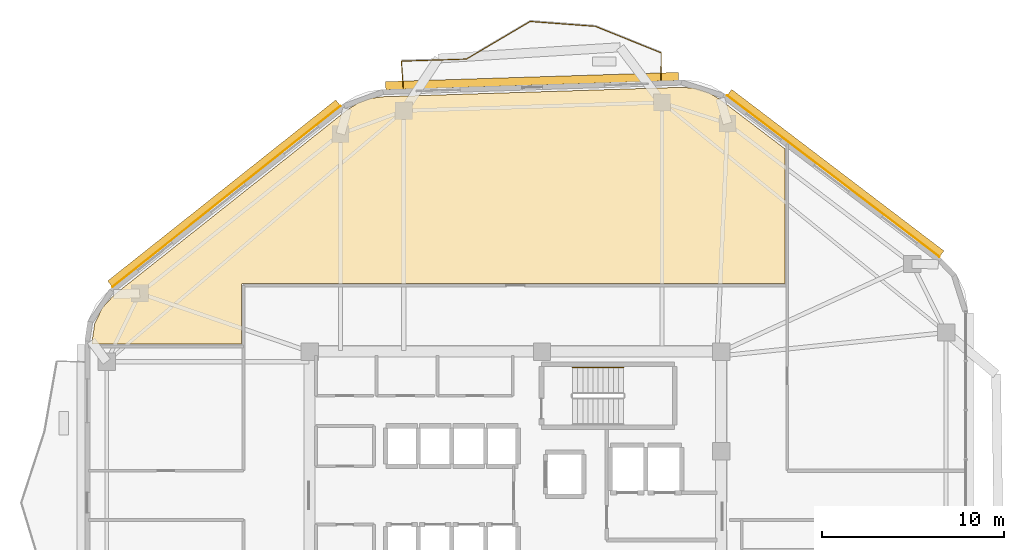
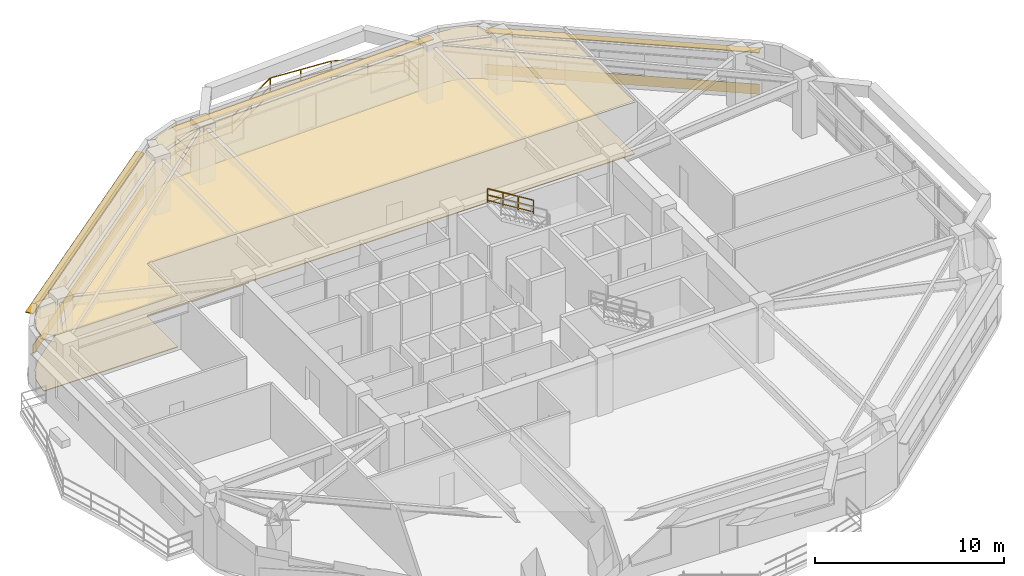
# One storey, part 14 of 14: 7 railings, 4 coverings, 3 shading devices.
"""IFC4 building model written with IfcOpenShell, lengths in metres."""

from ifc_helpers import new_model, si_unit, direction, frame, origin, origin_2d, place, context, subcontext, project, spatial, polyline, rectangle, outline, extrude, material, layer, layer_set, type_object, element, save


model = new_model("IFC4")

# Units and contexts
model_context = context("Model", 3, precision=1e-05, world=origin(), true_north=direction((0.0, 1.0)))
body_context = subcontext(model_context, "Body", "Model", "MODEL_VIEW")
ifc_project = project(units=[si_unit("LENGTHUNIT", "METRE"), si_unit("AREAUNIT", "SQUARE_METRE"), si_unit("VOLUMEUNIT", "CUBIC_METRE"), si_unit("PLANEANGLEUNIT", "RADIAN"), si_unit("MASSUNIT", "GRAM", prefix="KILO")], contexts=[model_context])

# Site, building, storey
site_placement = place(None, origin())
site = spatial("IfcSite", under=ifc_project, at=site_placement, CompositionType="ELEMENT")
building_placement = place(site_placement, origin())
building = spatial("IfcBuilding", under=site, at=building_placement, Name="Zulverin Broadcast Headquarters", CompositionType="ELEMENT")
storey_placement = place(building_placement, frame((0.0, 0.0, 178.199951171875)))
storey = spatial("IfcBuildingStorey", under=building, at=storey_placement, Name="L45", CompositionType="ELEMENT", Elevation=178.199951171875)

# Coverings
ifc_material_1 = material(Name="Perforated pale-metal acoustic baffle ceiling", Category="aluminium")
ifc_layer_1 = layer(ifc_material_1, 0.0400390625, Name="Perforated pale-metal acoustic baffle ceiling", Category="aluminium")
ifc_layer_set_1 = layer_set([ifc_layer_1], Name="Perforated pale-metal acoustic baffle ceiling")
covering_type_1 = type_object("IfcCoveringType", Name="COV-CEIL-ACOU", PredefinedType="CEILING", material=ifc_layer_set_1)
covering_1_placement = place(storey_placement, frame((0.0, 0.0, 3.360107421875)))
element("IfcCovering", 1, at=covering_1_placement, inside=storey, type_object=covering_type_1, Name="L45 Acoustic Baffle Ceiling 01", PredefinedType="CEILING", context=body_context, shape_type="SweptSolid", body=[
    extrude(outline(polyline([(29.031982421875, 46.944091796875), (28.39599609375, 46.7080078125), (27.800048828125, 46.33203125), (15.031982421875, 36.199951171875), (14.364013671875, 35.47607421875), (13.947998046875, 34.615966796875), (13.800048828125, 33.64404296875), (13.800048828125, 33.5), (21.97998046875, 33.5), (21.97998046875, 36.699951171875), (21.97998046875, 36.7119140625), (21.98388671875, 36.72412109375), (21.98388671875, 36.736083984375), (21.988037109375, 36.743896484375), (21.99609375, 36.756103515625), (22.0, 36.76806640625), (22.008056640625, 36.77587890625), (22.01611328125, 36.783935546875), (22.02392578125, 36.7919921875), (22.031982421875, 36.800048828125), (22.0439453125, 36.803955078125), (22.055908203125, 36.81201171875), (22.06396484375, 36.81591796875), (22.075927734375, 36.81591796875), (22.087890625, 36.820068359375), (22.10009765625, 36.820068359375), (51.780029296875, 36.820068359375), (51.780029296875, 44.176025390625), (48.2080078125, 46.89208984375), (47.568115234375, 47.27587890625), (46.8759765625, 47.49609375), (46.1279296875, 47.56005859375), (29.73193359375, 47.0400390625), (29.031982421875, 46.944091796875)])), origin(), (0.0, 0.0, 1.0), 0.0400390625),
])
ifc_material_2 = material(Name="Brushed pale-aluminium rainscreen cladding", Category="aluminium")
ifc_layer_2 = layer(ifc_material_2, 0.0400390625, Name="Brushed pale-aluminium rainscreen cladding", Category="aluminium")
ifc_layer_set_2 = layer_set([ifc_layer_2], Name="Brushed pale-aluminium rainscreen cladding")
covering_type_2 = type_object("IfcCoveringType", Name="COV-CLAD-PALE", PredefinedType="CLADDING", material=ifc_layer_set_2)
covering_2_placement = place(storey_placement, frame((54.412353515625, 42.689453125, 0.05517578125), z_axis=(0.0, 0.0, 1.0), x_axis=(-0.795836111996, 0.605512083152, 0.0)))
element("IfcCovering", 2, at=covering_2_placement, inside=storey, type_object=covering_type_2, Name="L45 Brushed Pale-Aluminium Spandrel Cladding 4", PredefinedType="CLADDING", context=body_context, shape_type="SweptSolid", body=[
    extrude(rectangle(XDim=14.61181640625, YDim=0.0400390625, at=origin_2d()), origin(), (0.0, 0.0, 1.0), 0.64990234375),
])
covering_3_placement = place(storey_placement, frame((21.16015625, 41.583984375, 0.05517578125), z_axis=(0.0, 0.0, 1.0), x_axis=(-0.783270473924, -0.621681079556, 0.0)))
element("IfcCovering", 3, at=covering_3_placement, inside=storey, type_object=covering_type_2, Name="L45 Brushed Pale-Aluminium Spandrel Cladding 6", PredefinedType="CLADDING", context=body_context, shape_type="SweptSolid", body=[
    extrude(rectangle(XDim=15.953125, YDim=0.0400390625, at=origin_2d()), origin(), (0.0, 0.0, 1.0), 0.64990234375),
])
ifc_material_3 = material(Name="Anti-static broadcast raised access flooring", Category="stone")
ifc_layer_3 = layer(ifc_material_3, 0.050048828125, Name="Anti-static broadcast raised access flooring", Category="stone")
ifc_layer_set_3 = layer_set([ifc_layer_3], Name="Anti-static broadcast raised access flooring")
covering_type_3 = type_object("IfcCoveringType", Name="COV-FLR-RAISED", PredefinedType="FLOORING", material=ifc_layer_set_3)
covering_4_placement = place(storey_placement, origin())
element("IfcCovering", 4, at=covering_4_placement, inside=storey, type_object=covering_type_3, Name="L45 Broadcast Raised Access Flooring 01", PredefinedType="FLOORING", context=body_context, shape_type="SweptSolid", body=[
    extrude(outline(polyline([(29.031982421875, 46.944091796875), (28.39599609375, 46.7080078125), (27.800048828125, 46.33203125), (15.031982421875, 36.199951171875), (14.364013671875, 35.47607421875), (13.947998046875, 34.615966796875), (13.800048828125, 33.64404296875), (13.800048828125, 33.5), (21.97998046875, 33.5), (21.97998046875, 36.699951171875), (21.97998046875, 36.7119140625), (21.98388671875, 36.72412109375), (21.98388671875, 36.736083984375), (21.988037109375, 36.743896484375), (21.99609375, 36.756103515625), (22.0, 36.76806640625), (22.008056640625, 36.77587890625), (22.01611328125, 36.783935546875), (22.02392578125, 36.7919921875), (22.031982421875, 36.800048828125), (22.0439453125, 36.803955078125), (22.055908203125, 36.81201171875), (22.06396484375, 36.81591796875), (22.075927734375, 36.81591796875), (22.087890625, 36.820068359375), (22.10009765625, 36.820068359375), (51.780029296875, 36.820068359375), (51.780029296875, 44.176025390625), (48.2080078125, 46.89208984375), (47.568115234375, 47.27587890625), (46.8759765625, 47.49609375), (46.1279296875, 47.56005859375), (29.73193359375, 47.0400390625), (29.031982421875, 46.944091796875)])), origin(), (0.0, 0.0, 1.0), 0.050048828125),
])

# Railings
ifc_material_4 = material(Name="Brushed stainless steel & laminated glass balustrade", Category="steel")
railing_type_1 = type_object("IfcRailingType", Name="RL-GUARD-1150", PredefinedType="GUARDRAIL", material=ifc_material_4)
railing_1_placement = place(storey_placement, frame((44.978271484375, 47.962646484375, 0.0)))
element("IfcRailing", 5, at=railing_1_placement, inside=storey, type_object=railing_type_1, Name="L45 Vertical-Forest Balcony Guardrail BAL_N Segment 01", PredefinedType="GUARDRAIL", context=body_context, shape_type="SweptSolid", body=[
    extrude(rectangle(XDim=0.048095703125, YDim=0.048095703125, at=origin_2d()), frame((0.0, 0.0, 1.1259765625), z_axis=(0.008825634609, 0.999961053328, 0.0), x_axis=(-0.999961053328, 0.008825634609, 0.0)), (0.0, 0.0, 1.0), 1.466064453125),
    extrude(rectangle(XDim=0.0419921875, YDim=0.0419921875, at=origin_2d()), frame((0.0, 0.0, 0.597900390625), z_axis=(0.008825634609, 0.999961053328, 0.0), x_axis=(-0.999961053328, 0.008825634609, 0.0)), (0.0, 0.0, 1.0), 1.466064453125),
    extrude(rectangle(XDim=0.0419921875, YDim=0.0419921875, at=origin_2d()), frame((0.0, 0.0, 0.1201171875), z_axis=(0.008825634609, 0.999961053328, 0.0), x_axis=(-0.999961053328, 0.008825634609, 0.0)), (0.0, 0.0, 1.0), 1.466064453125),
    extrude(rectangle(XDim=0.0419921875, YDim=0.0419921875, at=origin_2d()), origin(), (0.0, 0.0, 1.0), 1.101806640625),
    extrude(rectangle(XDim=0.0419921875, YDim=0.0419921875, at=origin_2d()), frame((0.012939453125, 1.466064453125, 0.0)), (0.0, 0.0, 1.0), 1.101806640625),
])
railing_2_placement = place(storey_placement, frame((44.977294921875, 49.449462890625, 0.0)))
element("IfcRailing", 6, at=railing_2_placement, inside=storey, type_object=railing_type_1, Name="L45 Vertical-Forest Balcony Guardrail BAL_N Segment 02", PredefinedType="GUARDRAIL", context=body_context, shape_type="SweptSolid", body=[
    extrude(rectangle(XDim=0.048095703125, YDim=0.048095703125, at=origin_2d()), frame((0.0, 0.0, 1.1259765625), z_axis=(-0.927488481444, 0.373851731023, 0.0), x_axis=(-0.373851731023, -0.927488481444, 0.0)), (0.0, 0.0, 1.0), 3.86328125),
    extrude(rectangle(XDim=0.0419921875, YDim=0.0419921875, at=origin_2d()), frame((0.0, 0.0, 0.597900390625), z_axis=(-0.927488481444, 0.373851731023, 0.0), x_axis=(-0.373851731023, -0.927488481444, 0.0)), (0.0, 0.0, 1.0), 3.86328125),
    extrude(rectangle(XDim=0.0419921875, YDim=0.0419921875, at=origin_2d()), frame((0.0, 0.0, 0.1201171875), z_axis=(-0.927488481444, 0.373851731023, 0.0), x_axis=(-0.373851731023, -0.927488481444, 0.0)), (0.0, 0.0, 1.0), 3.86328125),
    extrude(rectangle(XDim=0.0419921875, YDim=0.0419921875, at=origin_2d()), origin(), (0.0, 0.0, 1.0), 1.101806640625),
    extrude(rectangle(XDim=0.0419921875, YDim=0.0419921875, at=origin_2d()), frame((-1.79150390625, 0.72216796875, 0.0)), (0.0, 0.0, 1.0), 1.101806640625),
    extrude(rectangle(XDim=0.0419921875, YDim=0.0419921875, at=origin_2d()), frame((-3.583251953125, 1.4443359375, 0.0)), (0.0, 0.0, 1.0), 1.101806640625),
])
railing_3_placement = place(storey_placement, frame((41.364990234375, 50.900390625, 0.0)))
element("IfcRailing", 7, at=railing_3_placement, inside=storey, type_object=railing_type_1, Name="L45 Vertical-Forest Balcony Guardrail BAL_N Segment 03", PredefinedType="GUARDRAIL", context=body_context, shape_type="SweptSolid", body=[
    extrude(rectangle(XDim=0.048095703125, YDim=0.048095703125, at=origin_2d()), frame((0.0, 0.0, 1.1259765625), z_axis=(-0.997206863464, 0.074689165616, 0.0), x_axis=(-0.074689165616, -0.997206863464, 0.0)), (0.0, 0.0, 1.0), 3.55322265625),
    extrude(rectangle(XDim=0.0419921875, YDim=0.0419921875, at=origin_2d()), frame((0.0, 0.0, 0.597900390625), z_axis=(-0.997206863464, 0.074689165616, 0.0), x_axis=(-0.074689165616, -0.997206863464, 0.0)), (0.0, 0.0, 1.0), 3.55322265625),
    extrude(rectangle(XDim=0.0419921875, YDim=0.0419921875, at=origin_2d()), frame((0.0, 0.0, 0.1201171875), z_axis=(-0.997206863464, 0.074689165616, 0.0), x_axis=(-0.074689165616, -0.997206863464, 0.0)), (0.0, 0.0, 1.0), 3.55322265625),
    extrude(rectangle(XDim=0.0419921875, YDim=0.0419921875, at=origin_2d()), origin(), (0.0, 0.0, 1.0), 1.101806640625),
    extrude(rectangle(XDim=0.0419921875, YDim=0.0419921875, at=origin_2d()), frame((-1.771484375, 0.1328125, 0.0)), (0.0, 0.0, 1.0), 1.101806640625),
    extrude(rectangle(XDim=0.0419921875, YDim=0.0419921875, at=origin_2d()), frame((-3.543212890625, 0.265380859375, 0.0)), (0.0, 0.0, 1.0), 1.101806640625),
])
railing_4_placement = place(storey_placement, frame((37.793701171875, 51.1591796875, 0.0)))
element("IfcRailing", 8, at=railing_4_placement, inside=storey, type_object=railing_type_1, Name="L45 Vertical-Forest Balcony Guardrail BAL_N Segment 04", PredefinedType="GUARDRAIL", context=body_context, shape_type="SweptSolid", body=[
    extrude(rectangle(XDim=0.048095703125, YDim=0.048095703125, at=origin_2d()), frame((0.0, 0.0, 1.1259765625), z_axis=(-0.861574405311, -0.507631307262, 0.0), x_axis=(0.507631307262, -0.861574405311, 0.0)), (0.0, 0.0, 1.0), 4.03173828125),
    extrude(rectangle(XDim=0.0419921875, YDim=0.0419921875, at=origin_2d()), frame((0.0, 0.0, 0.597900390625), z_axis=(-0.861574405311, -0.507631307262, 0.0), x_axis=(0.507631307262, -0.861574405311, 0.0)), (0.0, 0.0, 1.0), 4.03173828125),
    extrude(rectangle(XDim=0.0419921875, YDim=0.0419921875, at=origin_2d()), frame((0.0, 0.0, 0.1201171875), z_axis=(-0.861574405311, -0.507631307262, 0.0), x_axis=(0.507631307262, -0.861574405311, 0.0)), (0.0, 0.0, 1.0), 4.03173828125),
    extrude(rectangle(XDim=0.0419921875, YDim=0.0419921875, at=origin_2d()), origin(), (0.0, 0.0, 1.0), 1.101806640625),
    extrude(rectangle(XDim=0.0419921875, YDim=0.0419921875, at=origin_2d()), frame((-1.73681640625, -1.0234375, 0.0)), (0.0, 0.0, 1.0), 1.101806640625),
    extrude(rectangle(XDim=0.0419921875, YDim=0.0419921875, at=origin_2d()), frame((-3.4736328125, -2.046630859375, 0.0)), (0.0, 0.0, 1.0), 1.101806640625),
])
railing_5_placement = place(storey_placement, frame((34.292236328125, 49.1044921875, 0.0)))
element("IfcRailing", 9, at=railing_5_placement, inside=storey, type_object=railing_type_1, Name="L45 Vertical-Forest Balcony Guardrail BAL_N Segment 05", PredefinedType="GUARDRAIL", context=body_context, shape_type="SweptSolid", body=[
    extrude(rectangle(XDim=0.048095703125, YDim=0.048095703125, at=origin_2d()), frame((0.0, 0.0, 1.1259765625), z_axis=(-0.999496857869, -0.031717993485, 0.0), x_axis=(0.031717993485, -0.999496857869, 0.0)), (0.0, 0.0, 1.0), 3.532958984375),
    extrude(rectangle(XDim=0.0419921875, YDim=0.0419921875, at=origin_2d()), frame((0.0, 0.0, 0.597900390625), z_axis=(-0.999496857869, -0.031717993485, 0.0), x_axis=(0.031717993485, -0.999496857869, 0.0)), (0.0, 0.0, 1.0), 3.532958984375),
    extrude(rectangle(XDim=0.0419921875, YDim=0.0419921875, at=origin_2d()), frame((0.0, 0.0, 0.1201171875), z_axis=(-0.999496857869, -0.031717993485, 0.0), x_axis=(0.031717993485, -0.999496857869, 0.0)), (0.0, 0.0, 1.0), 3.532958984375),
    extrude(rectangle(XDim=0.0419921875, YDim=0.0419921875, at=origin_2d()), origin(), (0.0, 0.0, 1.0), 1.101806640625),
    extrude(rectangle(XDim=0.0419921875, YDim=0.0419921875, at=origin_2d()), frame((-1.765625, -0.05615234375, 0.0)), (0.0, 0.0, 1.0), 1.101806640625),
    extrude(rectangle(XDim=0.0419921875, YDim=0.0419921875, at=origin_2d()), frame((-3.53125, -0.112060546875, 0.0)), (0.0, 0.0, 1.0), 1.101806640625),
])
railing_6_placement = place(storey_placement, frame((30.7470703125, 48.976806640625, 0.0)))
element("IfcRailing", 10, at=railing_6_placement, inside=storey, type_object=railing_type_1, Name="L45 Vertical-Forest Balcony Guardrail BAL_N Segment 06", PredefinedType="GUARDRAIL", context=body_context, shape_type="SweptSolid", body=[
    extrude(rectangle(XDim=0.048095703125, YDim=0.048095703125, at=origin_2d()), frame((0.0, 0.0, 1.1259765625), z_axis=(0.072110992432, -0.997396613575, 0.0), x_axis=(0.997396613575, 0.072110992432, 0.0)), (0.0, 0.0, 1.0), 1.466064453125),
    extrude(rectangle(XDim=0.0419921875, YDim=0.0419921875, at=origin_2d()), frame((0.0, 0.0, 0.597900390625), z_axis=(0.072110992432, -0.997396613575, 0.0), x_axis=(0.997396613575, 0.072110992432, 0.0)), (0.0, 0.0, 1.0), 1.466064453125),
    extrude(rectangle(XDim=0.0419921875, YDim=0.0419921875, at=origin_2d()), frame((0.0, 0.0, 0.1201171875), z_axis=(0.072110992432, -0.997396613575, 0.0), x_axis=(0.997396613575, 0.072110992432, 0.0)), (0.0, 0.0, 1.0), 1.466064453125),
    extrude(rectangle(XDim=0.0419921875, YDim=0.0419921875, at=origin_2d()), origin(), (0.0, 0.0, 1.0), 1.101806640625),
    extrude(rectangle(XDim=0.0419921875, YDim=0.0419921875, at=origin_2d()), frame((0.105712890625, -1.462158203125, 0.0)), (0.0, 0.0, 1.0), 1.101806640625),
])
ifc_material_5 = material(Name="Brushed stainless steel 48 mm handrail", Category="steel")
railing_type_2 = type_object("IfcRailingType", Name="RL-ST-HAND", PredefinedType="HANDRAIL", material=ifc_material_5)
railing_7_placement = place(storey_placement, frame((42.929931640625, 32.199951171875, 2.07275390625)))
element("IfcRailing", 11, at=railing_7_placement, inside=storey, type_object=railing_type_2, Name="L45 ST-1 stair handrail 2", PredefinedType="HANDRAIL", context=body_context, shape_type="SweptSolid", body=[
    extrude(rectangle(XDim=0.048095703125, YDim=0.048095703125, at=origin_2d()), frame((0.0, 0.0, 0.8759765625), z_axis=(-0.851089632645, 0.0, 0.525020415988), x_axis=(0.0, -1.0, 0.0)), (0.0, 0.0, 1.0), 3.2900390625),
    extrude(rectangle(XDim=0.0419921875, YDim=0.0419921875, at=origin_2d()), frame((0.0, 0.0, 0.468017578125), z_axis=(-0.851089632645, 0.0, 0.525020415988), x_axis=(0.0, -1.0, 0.0)), (0.0, 0.0, 1.0), 3.2900390625),
    extrude(rectangle(XDim=0.0419921875, YDim=0.0419921875, at=origin_2d()), frame((0.0, 0.0, 0.1201171875), z_axis=(-0.851089632645, 0.0, 0.525020415988), x_axis=(0.0, -1.0, 0.0)), (0.0, 0.0, 1.0), 3.2900390625),
    extrude(rectangle(XDim=0.0419921875, YDim=0.0419921875, at=origin_2d()), origin(), (0.0, 0.0, 1.0), 0.851806640625),
    extrude(rectangle(XDim=0.0419921875, YDim=0.0419921875, at=origin_2d()), frame((-0.933349609375, 0.0, 0.57568359375)), (0.0, 0.0, 1.0), 0.851806640625),
    extrude(rectangle(XDim=0.0419921875, YDim=0.0419921875, at=origin_2d()), frame((-1.86669921875, 0.0, 1.151611328125)), (0.0, 0.0, 1.0), 0.851806640625),
    extrude(rectangle(XDim=0.0419921875, YDim=0.0419921875, at=origin_2d()), frame((-2.800048828125, 0.0, 1.727294921875)), (0.0, 0.0, 1.0), 0.851806640625),
])

# Shading devices
ifc_material_6 = material(Name="Anodized pale-metal aluminium sunshade", Category="aluminium")
ifc_layer_4 = layer(ifc_material_6, 0.06005859375, Name="Anodized pale-metal aluminium sunshade", Category="aluminium")
ifc_layer_set_4 = layer_set([ifc_layer_4], Name="Anodized pale-metal aluminium sunshade")
shading_device_type = type_object("IfcShadingDeviceType", Name="SS-01_PALE_METAL_ALUMINIUM_SUNSHADE", PredefinedType="USERDEFINED", material=ifc_layer_set_4)
shading_device_1_placement = place(storey_placement, frame((54.527587890625, 42.840576171875, 2.7099609375), z_axis=(0.0, 0.0, 1.0), x_axis=(-0.795836111996, 0.605512083152, 0.0)))
element("IfcShadingDevice", 12, at=shading_device_1_placement, inside=storey, type_object=shading_device_type, Name="L45 Horizontal Pale-Metal Sunshade Band 4", ObjectType="SUNSHADE", PredefinedType="USERDEFINED", context=body_context, shape_type="SweptSolid", body=[
    extrude(rectangle(XDim=14.61181640625, YDim=0.449951171875, at=origin_2d()), origin(), (0.0, 0.0, 1.0), 0.06005859375),
])
shading_device_2_placement = place(storey_placement, frame((37.910400390625, 47.8984375, 2.7099609375), z_axis=(0.0, 0.0, 1.0), x_axis=(-0.999497141269, -0.031709061709, 0.0)))
element("IfcShadingDevice", 13, at=shading_device_2_placement, inside=storey, type_object=shading_device_type, Name="L45 Horizontal Pale-Metal Sunshade Band 5", ObjectType="SUNSHADE", PredefinedType="USERDEFINED", context=body_context, shape_type="SweptSolid", body=[
    extrude(rectangle(XDim=16.052490234375, YDim=0.449951171875, at=origin_2d()), origin(), (0.0, 0.0, 1.0), 0.06005859375),
])
shading_device_3_placement = place(storey_placement, frame((21.0419921875, 41.73291015625, 2.7099609375), z_axis=(0.0, 0.0, 1.0), x_axis=(-0.783270473924, -0.621681079556, 0.0)))
element("IfcShadingDevice", 14, at=shading_device_3_placement, inside=storey, type_object=shading_device_type, Name="L45 Horizontal Pale-Metal Sunshade Band 6", ObjectType="SUNSHADE", PredefinedType="USERDEFINED", context=body_context, shape_type="SweptSolid", body=[
    extrude(rectangle(XDim=15.953125, YDim=0.449951171875, at=origin_2d()), origin(), (0.0, 0.0, 1.0), 0.06005859375),
])

save(model, "model.ifc")
